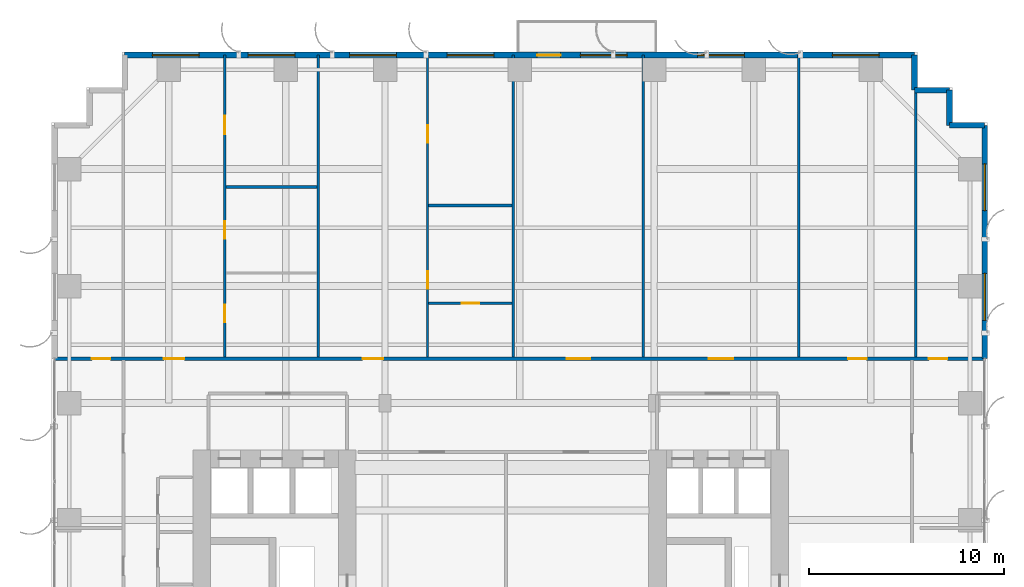
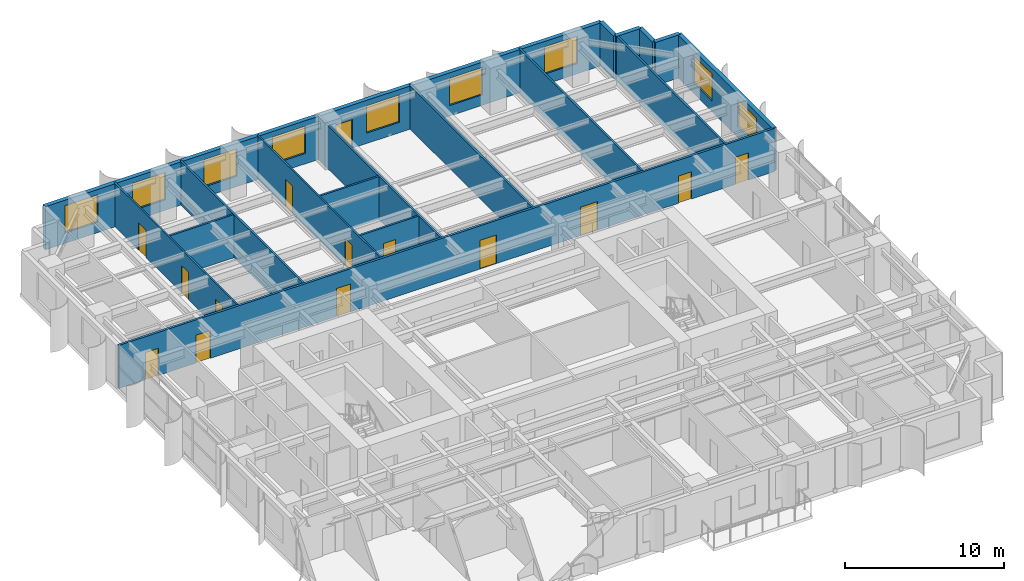
# One storey, part 12 of 17: 17 walls, 14 doors, 9 windows, 23 openings.
"""IFC4 building model written with IfcOpenShell, lengths in metres."""

from ifc_helpers import new_model, si_unit, direction, frame, frame_2d, origin, place, context, subcontext, project, spatial, rectangle, extrude, source, transform, mapped, material, layer, layer_set, type_object, element, fill, save


model = new_model("IFC4")

# Units and contexts
model_context = context("Model", 3, precision=1e-05, world=origin(), true_north=direction((0.0, 1.0)))
body_context = subcontext(model_context, "Body", "Model", "MODEL_VIEW")
ifc_project = project(units=[si_unit("LENGTHUNIT", "METRE"), si_unit("AREAUNIT", "SQUARE_METRE"), si_unit("VOLUMEUNIT", "CUBIC_METRE"), si_unit("PLANEANGLEUNIT", "RADIAN"), si_unit("MASSUNIT", "GRAM", prefix="KILO")], contexts=[model_context])

# Site, building, storey
site_placement = place(None, origin())
site = spatial("IfcSite", under=ifc_project, at=site_placement, CompositionType="ELEMENT")
building_placement = place(site_placement, origin())
building = spatial("IfcBuilding", under=site, at=building_placement, Name="Khoralis Quay Care Tower", CompositionType="ELEMENT")
storey_placement = place(building_placement, frame((0.0, 0.0, 58.5)))
storey = spatial("IfcBuildingStorey", under=building, at=storey_placement, Name="L15", CompositionType="ELEMENT", Elevation=58.5)

# Wall, openings, doors
ifc_material_1 = material(Name="Gypsum plasterboard on acoustic metal stud")
ifc_layer_1 = layer(ifc_material_1, 0.1650390625)
ifc_layer_set_1 = layer_set([ifc_layer_1], Name="Gypsum plasterboard on acoustic metal stud")
wall_type_1 = type_object("IfcWallType", Name="WL-CORR-165", PredefinedType="PARTITIONING", material=ifc_layer_set_1)
wall_1_placement = place(storey_placement, frame((0.14501953125, 32.280029296875, 0.0), z_axis=(0.0, 0.0, 1.0), x_axis=(1.0, 0.0, 0.0)))
wall_1 = element("IfcWall", 1, at=wall_1_placement, inside=storey, type_object=wall_type_1, Name="L15 North Main Corridor Wall", PredefinedType="PARTITIONING", context=body_context, shape_type="SweptSolid", body=[
    extrude(rectangle(XDim=47.7099609375, YDim=0.1650390625, at=frame_2d((23.85498046875, 0.0))), origin(), (0.0, 0.0, 1.0), 3.320068359375),
])
opening_1_placement = place(wall_1_placement, frame((5.610107421875, 0.0, 0.0)))
opening_1 = element("IfcOpeningElement", 2, at=opening_1_placement, cuts=wall_1, Name="Opening UD1", PredefinedType="OPENING", context=body_context, shape_type="SweptSolid", body=[
    extrude(rectangle(XDim=1.050048828125, YDim=2.14990234375, at=frame_2d((0.52490234375, 1.074951171875))), frame((0.0, 0.092529296875, 0.0), z_axis=(0.0, -1.0, 0.0), x_axis=(1.0, 0.0, 0.0)), (0.0, 0.0, 1.0), 0.18505859375),
])
opening_2_placement = place(wall_1_placement, frame((15.81005859375, 0.0, 0.0)))
opening_2 = element("IfcOpeningElement", 3, at=opening_2_placement, cuts=wall_1, Name="Opening UD1", PredefinedType="OPENING", context=body_context, shape_type="SweptSolid", body=[
    extrude(rectangle(XDim=1.050048828125, YDim=2.14990234375, at=frame_2d((0.52490234375, 1.074951171875))), frame((0.0, 0.092529296875, 0.0), z_axis=(0.0, -1.0, 0.0), x_axis=(1.0, 0.0, 0.0)), (0.0, 0.0, 1.0), 0.18505859375),
])
opening_3_placement = place(wall_1_placement, frame((26.264892578125, 0.0, 0.0)))
opening_3 = element("IfcOpeningElement", 4, at=opening_3_placement, cuts=wall_1, Name="Opening FD1", PredefinedType="OPENING", context=body_context, shape_type="SweptSolid", body=[
    extrude(rectangle(XDim=1.199951171875, YDim=2.199951171875, at=frame_2d((0.60009765625, 1.10009765625))), frame((0.0, 0.092529296875, 0.0), z_axis=(0.0, -1.0, 0.0), x_axis=(1.0, 0.0, 0.0)), (0.0, 0.0, 1.0), 0.18505859375),
])
opening_4_placement = place(wall_1_placement, frame((33.56005859375, 0.0, 0.0)))
opening_4 = element("IfcOpeningElement", 5, at=opening_4_placement, cuts=wall_1, Name="Opening CD1", PredefinedType="OPENING", context=body_context, shape_type="SweptSolid", body=[
    extrude(rectangle(XDim=1.25, YDim=2.199951171875, at=frame_2d((0.625, 1.10009765625))), frame((0.0, 0.092529296875, 0.0), z_axis=(0.0, -1.0, 0.0), x_axis=(1.0, 0.0, 0.0)), (0.0, 0.0, 1.0), 0.18505859375),
])
opening_5_placement = place(wall_1_placement, frame((40.699951171875, 0.0, 0.0)))
opening_5 = element("IfcOpeningElement", 6, at=opening_5_placement, cuts=wall_1, Name="Opening ID1", PredefinedType="OPENING", context=body_context, shape_type="SweptSolid", body=[
    extrude(rectangle(XDim=0.949951171875, YDim=2.10009765625, at=frame_2d((0.47509765625, 1.050048828125))), frame((0.0, 0.092529296875, 0.0), z_axis=(0.0, -1.0, 0.0), x_axis=(1.0, 0.0, 0.0)), (0.0, 0.0, 1.0), 0.18505859375),
])
opening_6_placement = place(wall_1_placement, frame((1.919921875, 0.0, 0.0)))
opening_6 = element("IfcOpeningElement", 7, at=opening_6_placement, cuts=wall_1, Name="Opening ID1", PredefinedType="OPENING", context=body_context, shape_type="SweptSolid", body=[
    extrude(rectangle(XDim=0.949951171875, YDim=2.10009765625, at=frame_2d((0.47509765625, 1.050048828125))), frame((0.0, 0.092529296875, 0.0), z_axis=(0.0, -1.0, 0.0), x_axis=(1.0, 0.0, 0.0)), (0.0, 0.0, 1.0), 0.18505859375),
])
opening_7_placement = place(wall_1_placement, frame((44.840087890625, 0.0, 0.0)))
opening_7 = element("IfcOpeningElement", 8, at=opening_7_placement, cuts=wall_1, Name="Opening ID1", PredefinedType="OPENING", context=body_context, shape_type="SweptSolid", body=[
    extrude(rectangle(XDim=0.949951171875, YDim=2.10009765625, at=frame_2d((0.47509765625, 1.050048828125))), frame((0.0, 0.092529296875, 0.0), z_axis=(0.0, -1.0, 0.0), x_axis=(1.0, 0.0, 0.0)), (0.0, 0.0, 1.0), 0.18505859375),
])
ifc_material_2 = material(Name="Fire-rated painted steel", Category="steel")
door_type_1 = type_object("IfcDoorType", Name="DR-FFL-1200X2200", OperationType="NOTDEFINED", PredefinedType="DOOR", material=ifc_material_2)
shared_shape_1 = source(origin(), body_context, "Body", "SweptSolid", [
    extrude(rectangle(XDim=1.199951171875, YDim=2.199951171875, at=frame_2d((0.60009765625, 1.10009765625))), frame((0.0, 0.02490234375, 0.0), z_axis=(0.0, -1.0, 0.0), x_axis=(1.0, 0.0, 0.0)), (0.0, 0.0, 1.0), 0.050048828125),
])
door_1_placement = place(opening_3_placement, origin())
door_1 = element("IfcDoor", 9, at=door_1_placement, inside=storey, type_object=door_type_1, Name="L15 Assisted Communal Dining Room Door", OperationType="DOUBLE_DOOR_SINGLE_SWING", OverallHeight=2.199951171875, OverallWidth=1.199951171875, PredefinedType="DOOR", context=body_context, shape_type="MappedRepresentation", body=[
    mapped(shared_shape_1, transform((0.0, 0.0, 0.0), scale=1.0)),
])
fill(opening_3, door_1)
ifc_material_3 = material(Name="Acoustic hardwood timber", Category="wood")
door_type_2 = type_object("IfcDoorType", Name="DR-CARE-1250X2200", OperationType="NOTDEFINED", PredefinedType="DOOR", material=ifc_material_3)
shared_shape_2 = source(origin(), body_context, "Body", "SweptSolid", [
    extrude(rectangle(XDim=1.25, YDim=2.199951171875, at=frame_2d((0.625, 1.10009765625))), frame((0.0, 0.02490234375, 0.0), z_axis=(0.0, -1.0, 0.0), x_axis=(1.0, 0.0, 0.0)), (0.0, 0.0, 1.0), 0.050048828125),
])
door_2_placement = place(opening_4_placement, origin())
door_2 = element("IfcDoor", 10, at=door_2_placement, inside=storey, type_object=door_type_2, Name="L15 Geriatric Consultation Clinic Door", OperationType="SINGLE_SWING_RIGHT", OverallHeight=2.199951171875, OverallWidth=1.25, PredefinedType="DOOR", context=body_context, shape_type="MappedRepresentation", body=[
    mapped(shared_shape_2, transform((0.0, 0.0, 0.0), scale=1.0)),
])
fill(opening_4, door_2)
door_type_3 = type_object("IfcDoorType", Name="DR-ROOM-950X2100", OperationType="NOTDEFINED", PredefinedType="DOOR", material=ifc_material_3)
shared_shape_3 = source(origin(), body_context, "Body", "SweptSolid", [
    extrude(rectangle(XDim=0.949951171875, YDim=2.10009765625, at=frame_2d((0.47509765625, 1.050048828125))), frame((0.0, 0.02490234375, 0.0), z_axis=(0.0, -1.0, 0.0), x_axis=(1.0, 0.0, 0.0)), (0.0, 0.0, 1.0), 0.050048828125),
])
door_3_placement = place(opening_5_placement, origin())
door_3 = element("IfcDoor", 11, at=door_3_placement, inside=storey, type_object=door_type_3, Name="L15 Care Coordination Office Door", OperationType="SINGLE_SWING_RIGHT", OverallHeight=2.10009765625, OverallWidth=0.949951171875, PredefinedType="DOOR", context=body_context, shape_type="MappedRepresentation", body=[
    mapped(shared_shape_3, transform((0.0, 0.0, 0.0), scale=1.0)),
])
fill(opening_5, door_3)
door_4_placement = place(opening_6_placement, origin())
door_4 = element("IfcDoor", 12, at=door_4_placement, inside=storey, type_object=door_type_3, Name="L15 NW Corner Door", OperationType="SINGLE_SWING_RIGHT", OverallHeight=2.10009765625, OverallWidth=0.949951171875, PredefinedType="DOOR", context=body_context, shape_type="MappedRepresentation", body=[
    mapped(shared_shape_3, transform((0.0, 0.0, 0.0), scale=1.0)),
])
fill(opening_6, door_4)
door_5_placement = place(opening_7_placement, origin())
door_5 = element("IfcDoor", 13, at=door_5_placement, inside=storey, type_object=door_type_3, Name="L15 NE Corner Door", OperationType="SINGLE_SWING_LEFT", OverallHeight=2.10009765625, OverallWidth=0.949951171875, PredefinedType="DOOR", context=body_context, shape_type="MappedRepresentation", body=[
    mapped(shared_shape_3, transform((0.0, 0.0, 0.0), scale=1.0)),
])
fill(opening_7, door_5)
door_type_4 = type_object("IfcDoorType", Name="DR-SUITE-1050X2150", OperationType="NOTDEFINED", PredefinedType="DOOR", material=ifc_material_3)
shared_shape_4 = source(origin(), body_context, "Body", "SweptSolid", [
    extrude(rectangle(XDim=1.050048828125, YDim=2.14990234375, at=frame_2d((0.52490234375, 1.074951171875))), frame((0.0, 0.02490234375, 0.0), z_axis=(0.0, -1.0, 0.0), x_axis=(1.0, 0.0, 0.0)), (0.0, 0.0, 1.0), 0.050048828125),
])
door_6_placement = place(opening_1_placement, origin())
door_6 = element("IfcDoor", 14, at=door_6_placement, inside=storey, type_object=door_type_4, Name="L15 Apartment NB0 Entrance Door", OperationType="SINGLE_SWING_LEFT", OverallHeight=2.14990234375, OverallWidth=1.050048828125, PredefinedType="DOOR", context=body_context, shape_type="MappedRepresentation", body=[
    mapped(shared_shape_4, transform((0.0, 0.0, 0.0), scale=1.0)),
])
fill(opening_1, door_6)
door_7_placement = place(opening_2_placement, origin())
door_7 = element("IfcDoor", 15, at=door_7_placement, inside=storey, type_object=door_type_4, Name="L15 Studio NB1 Entrance", OperationType="SINGLE_SWING_RIGHT", OverallHeight=2.14990234375, OverallWidth=1.050048828125, PredefinedType="DOOR", context=body_context, shape_type="MappedRepresentation", body=[
    mapped(shared_shape_4, transform((0.0, 0.0, 0.0), scale=1.0)),
])
fill(opening_2, door_7)

# Wall, openings, windows
ifc_material_4 = material(Name="Precast concrete C45/55", Category="concrete")
ifc_layer_2 = layer(ifc_material_4, 0.300048828125)
ifc_layer_set_2 = layer_set([ifc_layer_2], Name="Precast concrete C45/55")
wall_type_2 = type_object("IfcWallType", Name="WL-EXT-REF-300", PredefinedType="SOLIDWALL", material=ifc_layer_set_2)
wall_2_placement = place(storey_placement, frame((47.85009765625, 32.280029296875, 0.0), z_axis=(0.0, 0.0, 1.0), x_axis=(0.0, 1.0, 0.0)))
wall_2 = element("IfcWall", 16, at=wall_2_placement, inside=storey, type_object=wall_type_2, Name="L15 External Facade Wall WL-EXT-L15-P1-E5B", PredefinedType="SOLIDWALL", context=body_context, shape_type="SweptSolid", body=[
    extrude(rectangle(XDim=11.969970703125, YDim=0.300048828125, at=frame_2d((5.98486328125, 0.0))), origin(), (0.0, 0.0, 1.0), 3.320068359375),
])
opening_8_placement = place(wall_2_placement, frame((1.972412109375, 0.0, 0.800048828125)))
opening_8 = element("IfcOpeningElement", 17, at=opening_8_placement, cuts=wall_2, Name="Opening W1", PredefinedType="OPENING", context=body_context, shape_type="SweptSolid", body=[
    extrude(rectangle(XDim=2.39990234375, YDim=2.10009765625, at=frame_2d((1.199951171875, 1.050048828125))), frame((0.0, 0.16015625, 0.0), z_axis=(0.0, -1.0, 0.0), x_axis=(1.0, 0.0, 0.0)), (0.0, 0.0, 1.0), 0.320068359375),
])
opening_9_placement = place(wall_2_placement, frame((7.597412109375, 0.0, 0.800048828125)))
opening_9 = element("IfcOpeningElement", 18, at=opening_9_placement, cuts=wall_2, Name="Opening W1", PredefinedType="OPENING", context=body_context, shape_type="SweptSolid", body=[
    extrude(rectangle(XDim=2.39990234375, YDim=2.10009765625, at=frame_2d((1.199951171875, 1.050048828125))), frame((0.0, 0.16015625, 0.0), z_axis=(0.0, -1.0, 0.0), x_axis=(1.0, 0.0, 0.0)), (0.0, 0.0, 1.0), 0.320068359375),
])
ifc_material_5 = material(Name="Low-E solar-control double glazing", Category="glass")
window_type = type_object("IfcWindowType", Name="WN-POD-2400X2100", PartitioningType="SINGLE_PANEL", PredefinedType="WINDOW", material=ifc_material_5)
shared_shape_5 = source(origin(), body_context, "Body", "SweptSolid", [
    extrude(rectangle(XDim=2.39990234375, YDim=2.10009765625, at=frame_2d((1.199951171875, 1.050048828125))), frame((0.0, 0.030029296875, 0.0), z_axis=(0.0, -1.0, 0.0), x_axis=(1.0, 0.0, 0.0)), (0.0, 0.0, 1.0), 0.06005859375),
])
window_1_placement = place(opening_8_placement, origin())
window_1 = element("IfcWindow", 19, at=window_1_placement, inside=storey, type_object=window_type, Name="WN-L15-P1-E5B Facade Window 01", OverallHeight=2.10009765625, OverallWidth=2.39990234375, PartitioningType="SINGLE_PANEL", PredefinedType="WINDOW", context=body_context, shape_type="MappedRepresentation", body=[
    mapped(shared_shape_5, transform((0.0, 0.0, 0.0), scale=1.0)),
])
fill(opening_8, window_1)
window_2_placement = place(opening_9_placement, origin())
window_2 = element("IfcWindow", 20, at=window_2_placement, inside=storey, type_object=window_type, Name="WN-L15-P1-E5B Facade Window 02", OverallHeight=2.10009765625, OverallWidth=2.39990234375, PartitioningType="SINGLE_PANEL", PredefinedType="WINDOW", context=body_context, shape_type="MappedRepresentation", body=[
    mapped(shared_shape_5, transform((0.0, 0.0, 0.0), scale=1.0)),
])
fill(opening_9, window_2)

# Walls
for number, where, z_axis, x_axis, name in (
    (21, (47.85009765625, 44.25, 0.0), (0.0, 0.0, 1.0), (-1.0, 0.0, 0.0), "L15 External Facade Wall WL-EXT-L15-P1-C6"),
    (22, (46.050048828125, 44.25, 0.0), (0.0, 0.0, 1.0), (0.0, 1.0, 0.0), "L15 External Facade Wall WL-EXT-L15-P1-C7"),
    (23, (46.050048828125, 46.050048828125, 0.0), (0.0, 0.0, 1.0), (-1.0, 0.0, 0.0), "L15 External Facade Wall WL-EXT-L15-P1-C8"),
    (24, (44.25, 46.050048828125, 0.0), (0.0, 0.0, 1.0), (0.0, 1.0, 0.0), "L15 External Facade Wall WL-EXT-L15-P1-C9"),
):
    element("IfcWall", number, at=place(storey_placement, frame(where, z_axis=z_axis, x_axis=x_axis)), inside=storey, type_object=wall_type_2, Name=name, PredefinedType="SOLIDWALL", context=body_context, shape_type="SweptSolid", body=[
        extrude(rectangle(XDim=1.800048828125, YDim=0.300048828125, at=frame_2d((0.89990234375, 0.0))), origin(), (0.0, 0.0, 1.0), 3.320068359375),
    ])

# Wall, openings, windows, door
wall_3_placement = place(storey_placement, frame((44.25, 47.85009765625, 0.0), z_axis=(0.0, 0.0, 1.0), x_axis=(-1.0, 0.0, 0.0)))
wall_3 = element("IfcWall", 25, at=wall_3_placement, inside=storey, type_object=wall_type_2, Name="L15 External Facade Wall WL-EXT-L15-P1-E10", PredefinedType="SOLIDWALL", context=body_context, shape_type="SweptSolid", body=[
    extrude(rectangle(XDim=40.5, YDim=0.300048828125, at=frame_2d((20.25, 0.0))), origin(), (0.0, 0.0, 1.0), 3.320068359375),
])
opening_10_placement = place(wall_3_placement, frame((1.81494140625, 0.0, 0.800048828125)))
opening_10 = element("IfcOpeningElement", 26, at=opening_10_placement, cuts=wall_3, Name="Opening W1", PredefinedType="OPENING", context=body_context, shape_type="SweptSolid", body=[
    extrude(rectangle(XDim=2.39990234375, YDim=2.10009765625, at=frame_2d((1.199951171875, 1.050048828125))), frame((0.0, 0.16015625, 0.0), z_axis=(0.0, -1.0, 0.0), x_axis=(1.0, 0.0, 0.0)), (0.0, 0.0, 1.0), 0.320068359375),
])
opening_11_placement = place(wall_3_placement, frame((8.719970703125, 0.0, 0.800048828125)))
opening_11 = element("IfcOpeningElement", 27, at=opening_11_placement, cuts=wall_3, Name="Opening W1", PredefinedType="OPENING", context=body_context, shape_type="SweptSolid", body=[
    extrude(rectangle(XDim=2.39990234375, YDim=2.10009765625, at=frame_2d((1.199951171875, 1.050048828125))), frame((0.0, 0.16015625, 0.0), z_axis=(0.0, -1.0, 0.0), x_axis=(1.0, 0.0, 0.0)), (0.0, 0.0, 1.0), 0.320068359375),
])
opening_12_placement = place(wall_3_placement, frame((14.735107421875, 0.0, 0.800048828125)))
opening_12 = element("IfcOpeningElement", 28, at=opening_12_placement, cuts=wall_3, Name="Opening W1", PredefinedType="OPENING", context=body_context, shape_type="SweptSolid", body=[
    extrude(rectangle(XDim=2.39990234375, YDim=2.10009765625, at=frame_2d((1.199951171875, 1.050048828125))), frame((0.0, 0.16015625, 0.0), z_axis=(0.0, -1.0, 0.0), x_axis=(1.0, 0.0, 0.0)), (0.0, 0.0, 1.0), 0.320068359375),
])
opening_13_placement = place(wall_3_placement, frame((21.570068359375, 0.0, 0.800048828125)))
opening_13 = element("IfcOpeningElement", 29, at=opening_13_placement, cuts=wall_3, Name="Opening W1", PredefinedType="OPENING", context=body_context, shape_type="SweptSolid", body=[
    extrude(rectangle(XDim=2.39990234375, YDim=2.10009765625, at=frame_2d((1.199951171875, 1.050048828125))), frame((0.0, 0.16015625, 0.0), z_axis=(0.0, -1.0, 0.0), x_axis=(1.0, 0.0, 0.0)), (0.0, 0.0, 1.0), 0.320068359375),
])
opening_14_placement = place(wall_3_placement, frame((26.570068359375, 0.0, 0.800048828125)))
opening_14 = element("IfcOpeningElement", 30, at=opening_14_placement, cuts=wall_3, Name="Opening W1", PredefinedType="OPENING", context=body_context, shape_type="SweptSolid", body=[
    extrude(rectangle(XDim=2.39990234375, YDim=2.10009765625, at=frame_2d((1.199951171875, 1.050048828125))), frame((0.0, 0.16015625, 0.0), z_axis=(0.0, -1.0, 0.0), x_axis=(1.0, 0.0, 0.0)), (0.0, 0.0, 1.0), 0.320068359375),
])
opening_15_placement = place(wall_3_placement, frame((31.77001953125, 0.0, 0.800048828125)))
opening_15 = element("IfcOpeningElement", 31, at=opening_15_placement, cuts=wall_3, Name="Opening W1", PredefinedType="OPENING", context=body_context, shape_type="SweptSolid", body=[
    extrude(rectangle(XDim=2.39990234375, YDim=2.10009765625, at=frame_2d((1.199951171875, 1.050048828125))), frame((0.0, 0.16015625, 0.0), z_axis=(0.0, -1.0, 0.0), x_axis=(1.0, 0.0, 0.0)), (0.0, 0.0, 1.0), 0.320068359375),
])
opening_16_placement = place(wall_3_placement, frame((36.68505859375, 0.0, 0.800048828125)))
opening_16 = element("IfcOpeningElement", 32, at=opening_16_placement, cuts=wall_3, Name="Opening W1", PredefinedType="OPENING", context=body_context, shape_type="SweptSolid", body=[
    extrude(rectangle(XDim=2.39990234375, YDim=2.10009765625, at=frame_2d((1.199951171875, 1.050048828125))), frame((0.0, 0.16015625, 0.0), z_axis=(0.0, -1.0, 0.0), x_axis=(1.0, 0.0, 0.0)), (0.0, 0.0, 1.0), 0.320068359375),
])
opening_17_placement = place(wall_3_placement, frame((18.14990234375, 0.0, 0.0)))
opening_17 = element("IfcOpeningElement", 33, at=opening_17_placement, cuts=wall_3, Name="Opening BD1", PredefinedType="OPENING", context=body_context, shape_type="SweptSolid", body=[
    extrude(rectangle(XDim=1.199951171875, YDim=2.199951171875, at=frame_2d((0.60009765625, 1.10009765625))), frame((0.0, 0.16015625, 0.0), z_axis=(0.0, -1.0, 0.0), x_axis=(1.0, 0.0, 0.0)), (0.0, 0.0, 1.0), 0.320068359375),
])
window_3_placement = place(opening_10_placement, origin())
window_3 = element("IfcWindow", 34, at=window_3_placement, inside=storey, type_object=window_type, Name="WN-L15-P1-E10 Facade Window 01", OverallHeight=2.10009765625, OverallWidth=2.39990234375, PartitioningType="SINGLE_PANEL", PredefinedType="WINDOW", context=body_context, shape_type="MappedRepresentation", body=[
    mapped(shared_shape_5, transform((0.0, 0.0, 0.0), scale=1.0)),
])
fill(opening_10, window_3)
window_4_placement = place(opening_11_placement, origin())
window_4 = element("IfcWindow", 35, at=window_4_placement, inside=storey, type_object=window_type, Name="WN-L15-P1-E10 Facade Window 02", OverallHeight=2.10009765625, OverallWidth=2.39990234375, PartitioningType="SINGLE_PANEL", PredefinedType="WINDOW", context=body_context, shape_type="MappedRepresentation", body=[
    mapped(shared_shape_5, transform((0.0, 0.0, 0.0), scale=1.0)),
])
fill(opening_11, window_4)
window_5_placement = place(opening_12_placement, origin())
window_5 = element("IfcWindow", 36, at=window_5_placement, inside=storey, type_object=window_type, Name="WN-L15-P1-E10 Facade Window 03", OverallHeight=2.10009765625, OverallWidth=2.39990234375, PartitioningType="SINGLE_PANEL", PredefinedType="WINDOW", context=body_context, shape_type="MappedRepresentation", body=[
    mapped(shared_shape_5, transform((0.0, 0.0, 0.0), scale=1.0)),
])
fill(opening_12, window_5)
window_6_placement = place(opening_13_placement, origin())
window_6 = element("IfcWindow", 37, at=window_6_placement, inside=storey, type_object=window_type, Name="WN-L15-P1-E10 Facade Window 04", OverallHeight=2.10009765625, OverallWidth=2.39990234375, PartitioningType="SINGLE_PANEL", PredefinedType="WINDOW", context=body_context, shape_type="MappedRepresentation", body=[
    mapped(shared_shape_5, transform((0.0, 0.0, 0.0), scale=1.0)),
])
fill(opening_13, window_6)
window_7_placement = place(opening_14_placement, origin())
window_7 = element("IfcWindow", 38, at=window_7_placement, inside=storey, type_object=window_type, Name="WN-L15-P1-E10 Facade Window 05", OverallHeight=2.10009765625, OverallWidth=2.39990234375, PartitioningType="SINGLE_PANEL", PredefinedType="WINDOW", context=body_context, shape_type="MappedRepresentation", body=[
    mapped(shared_shape_5, transform((0.0, 0.0, 0.0), scale=1.0)),
])
fill(opening_14, window_7)
window_8_placement = place(opening_15_placement, origin())
window_8 = element("IfcWindow", 39, at=window_8_placement, inside=storey, type_object=window_type, Name="WN-L15-P1-E10 Facade Window 06", OverallHeight=2.10009765625, OverallWidth=2.39990234375, PartitioningType="SINGLE_PANEL", PredefinedType="WINDOW", context=body_context, shape_type="MappedRepresentation", body=[
    mapped(shared_shape_5, transform((0.0, 0.0, 0.0), scale=1.0)),
])
fill(opening_15, window_8)
window_9_placement = place(opening_16_placement, origin())
window_9 = element("IfcWindow", 40, at=window_9_placement, inside=storey, type_object=window_type, Name="WN-L15-P1-E10 Facade Window 07", OverallHeight=2.10009765625, OverallWidth=2.39990234375, PartitioningType="SINGLE_PANEL", PredefinedType="WINDOW", context=body_context, shape_type="MappedRepresentation", body=[
    mapped(shared_shape_5, transform((0.0, 0.0, 0.0), scale=1.0)),
])
fill(opening_16, window_9)
ifc_material_6 = material(Name="Anodised aluminium and laminated safety glass", Category="aluminium")
door_type_5 = type_object("IfcDoorType", Name="DR-EXT-BALC-1200X2200", OperationType="NOTDEFINED", PredefinedType="DOOR", material=ifc_material_6)
shared_shape_6 = source(origin(), body_context, "Body", "SweptSolid", [
    extrude(rectangle(XDim=1.199951171875, YDim=2.199951171875, at=frame_2d((0.60009765625, 1.10009765625))), frame((0.0, 0.02490234375, 0.0), z_axis=(0.0, -1.0, 0.0), x_axis=(1.0, 0.0, 0.0)), (0.0, 0.0, 1.0), 0.050048828125),
])
door_8_placement = place(opening_17_placement, frame((1.199951171875, 0.0, 0.0), z_axis=(0.0, 0.0, 1.0), x_axis=(-1.0, 0.0, 0.0)))
door_8 = element("IfcDoor", 41, at=door_8_placement, inside=storey, type_object=door_type_5, Name="L15 Senior Loggia Balcony Door", OperationType="SINGLE_SWING_RIGHT", OverallHeight=2.199951171875, OverallWidth=1.199951171875, PredefinedType="DOOR", context=body_context, shape_type="MappedRepresentation", body=[
    mapped(shared_shape_6, transform((0.0, 0.0, 0.0), scale=1.0)),
])
fill(opening_17, door_8)

# Wall, openings, doors
ifc_layer_3 = layer(ifc_material_1, 0.114990234375)
ifc_layer_set_3 = layer_set([ifc_layer_3], Name="Gypsum plasterboard on acoustic metal stud")
wall_type_3 = type_object("IfcWallType", Name="WL-PART-115", PredefinedType="PARTITIONING", material=ifc_layer_set_3)
wall_4_placement = place(storey_placement, frame((8.8798828125, 32.357421875, 0.0), z_axis=(0.0, 0.0, 1.0), x_axis=(0.0, 1.0, 0.0)))
wall_4 = element("IfcWall", 42, at=wall_4_placement, inside=storey, type_object=wall_type_3, Name="L15 Unit 0 Internal Wall", PredefinedType="PARTITIONING", context=body_context, shape_type="SweptSolid", body=[
    extrude(rectangle(XDim=15.49755859375, YDim=0.114990234375, at=frame_2d((7.748779296875, 0.0))), origin(), (0.0, 0.0, 1.0), 3.320068359375),
])
opening_18_placement = place(wall_4_placement, frame((11.43408203125, 0.0, 0.0)))
opening_18 = element("IfcOpeningElement", 43, at=opening_18_placement, cuts=wall_4, Name="Opening ID1", PredefinedType="OPENING", context=body_context, shape_type="SweptSolid", body=[
    extrude(rectangle(XDim=0.949951171875, YDim=2.10009765625, at=frame_2d((0.47509765625, 1.050048828125))), frame((0.0, 0.0673828125, 0.0), z_axis=(0.0, -1.0, 0.0), x_axis=(1.0, 0.0, 0.0)), (0.0, 0.0, 1.0), 0.135009765625),
])
opening_19_placement = place(wall_4_placement, frame((6.074462890625, 0.0, 0.0)))
opening_19 = element("IfcOpeningElement", 44, at=opening_19_placement, cuts=wall_4, Name="Opening WD1", PredefinedType="OPENING", context=body_context, shape_type="SweptSolid", body=[
    extrude(rectangle(XDim=0.89990234375, YDim=2.10009765625, at=frame_2d((0.449951171875, 1.050048828125))), frame((0.0, 0.0673828125, 0.0), z_axis=(0.0, -1.0, 0.0), x_axis=(1.0, 0.0, 0.0)), (0.0, 0.0, 1.0), 0.135009765625),
])
opening_20_placement = place(wall_4_placement, frame((1.7880859375, 0.0, 0.0)))
opening_20 = element("IfcOpeningElement", 45, at=opening_20_placement, cuts=wall_4, Name="Opening WD1", PredefinedType="OPENING", context=body_context, shape_type="SweptSolid", body=[
    extrude(rectangle(XDim=0.89990234375, YDim=2.10009765625, at=frame_2d((0.449951171875, 1.050048828125))), frame((0.0, 0.0673828125, 0.0), z_axis=(0.0, -1.0, 0.0), x_axis=(1.0, 0.0, 0.0)), (0.0, 0.0, 1.0), 0.135009765625),
])
door_type_6 = type_object("IfcDoorType", Name="DR-BATH-900X2100", OperationType="NOTDEFINED", PredefinedType="DOOR", material=ifc_material_3)
shared_shape_7 = source(origin(), body_context, "Body", "SweptSolid", [
    extrude(rectangle(XDim=0.89990234375, YDim=2.10009765625, at=frame_2d((0.449951171875, 1.050048828125))), frame((0.0, 0.02490234375, 0.0), z_axis=(0.0, -1.0, 0.0), x_axis=(1.0, 0.0, 0.0)), (0.0, 0.0, 1.0), 0.050048828125),
])
door_9_placement = place(opening_19_placement, frame((0.89990234375, 0.0, 0.0), z_axis=(0.0, 0.0, 1.0), x_axis=(-1.0, 0.0, 0.0)))
door_9 = element("IfcDoor", 46, at=door_9_placement, inside=storey, type_object=door_type_6, Name="L15 Apartment NB0 KIT Door", OperationType="SINGLE_SWING_LEFT", OverallHeight=2.10009765625, OverallWidth=0.89990234375, PredefinedType="DOOR", context=body_context, shape_type="MappedRepresentation", body=[
    mapped(shared_shape_7, transform((0.0, 0.0, 0.0), scale=1.0)),
])
fill(opening_19, door_9)
door_10_placement = place(opening_20_placement, frame((0.89990234375, 0.0, 0.0), z_axis=(0.0, 0.0, 1.0), x_axis=(-1.0, 0.0, 0.0)))
door_10 = element("IfcDoor", 47, at=door_10_placement, inside=storey, type_object=door_type_6, Name="L15 Apartment NB0 BTH Door", OperationType="SINGLE_SWING_RIGHT", OverallHeight=2.10009765625, OverallWidth=0.89990234375, PredefinedType="DOOR", context=body_context, shape_type="MappedRepresentation", body=[
    mapped(shared_shape_7, transform((0.0, 0.0, 0.0), scale=1.0)),
])
fill(opening_20, door_10)
door_11_placement = place(opening_18_placement, frame((0.949951171875, 0.0, 0.0), z_axis=(0.0, 0.0, 1.0), x_axis=(-1.0, 0.0, 0.0)))
door_11 = element("IfcDoor", 48, at=door_11_placement, inside=storey, type_object=door_type_3, Name="L15 Apartment NB0 BED Door", OperationType="SINGLE_SWING_RIGHT", OverallHeight=2.10009765625, OverallWidth=0.949951171875, PredefinedType="DOOR", context=body_context, shape_type="MappedRepresentation", body=[
    mapped(shared_shape_3, transform((0.0, 0.0, 0.0), scale=1.0)),
])
fill(opening_18, door_11)

wall_5_placement = place(storey_placement, frame((19.280029296875, 32.357421875, 0.0), z_axis=(0.0, 0.0, 1.0), x_axis=(0.0, 1.0, 0.0)))
wall_5 = element("IfcWall", 49, at=wall_5_placement, inside=storey, type_object=wall_type_3, Name="L15 Studio 1 Internal Wall", PredefinedType="PARTITIONING", context=body_context, shape_type="SweptSolid", body=[
    extrude(rectangle(XDim=15.49755859375, YDim=0.114990234375, at=frame_2d((7.748779296875, 0.0))), origin(), (0.0, 0.0, 1.0), 3.320068359375),
])
opening_21_placement = place(wall_5_placement, frame((10.987548828125, 0.0, 0.0)))
opening_21 = element("IfcOpeningElement", 50, at=opening_21_placement, cuts=wall_5, Name="Opening WD1", PredefinedType="OPENING", context=body_context, shape_type="SweptSolid", body=[
    extrude(rectangle(XDim=0.89990234375, YDim=2.10009765625, at=frame_2d((0.449951171875, 1.050048828125))), frame((0.0, 0.0673828125, 0.0), z_axis=(0.0, -1.0, 0.0), x_axis=(1.0, 0.0, 0.0)), (0.0, 0.0, 1.0), 0.135009765625),
])
opening_22_placement = place(wall_5_placement, frame((3.517578125, 0.0, 0.0)))
opening_22 = element("IfcOpeningElement", 51, at=opening_22_placement, cuts=wall_5, Name="Opening WD1", PredefinedType="OPENING", context=body_context, shape_type="SweptSolid", body=[
    extrude(rectangle(XDim=0.89990234375, YDim=2.10009765625, at=frame_2d((0.449951171875, 1.050048828125))), frame((0.0, 0.0673828125, 0.0), z_axis=(0.0, -1.0, 0.0), x_axis=(1.0, 0.0, 0.0)), (0.0, 0.0, 1.0), 0.135009765625),
])
door_12_placement = place(opening_21_placement, frame((0.89990234375, 0.0, 0.0), z_axis=(0.0, 0.0, 1.0), x_axis=(-1.0, 0.0, 0.0)))
door_12 = element("IfcDoor", 52, at=door_12_placement, inside=storey, type_object=door_type_6, Name="L15 Studio SKT Door", OperationType="SINGLE_SWING_LEFT", OverallHeight=2.10009765625, OverallWidth=0.89990234375, PredefinedType="DOOR", context=body_context, shape_type="MappedRepresentation", body=[
    mapped(shared_shape_7, transform((0.0, 0.0, 0.0), scale=1.0)),
])
fill(opening_21, door_12)
door_13_placement = place(opening_22_placement, frame((0.89990234375, 0.0, 0.0), z_axis=(0.0, 0.0, 1.0), x_axis=(-1.0, 0.0, 0.0)))
door_13 = element("IfcDoor", 53, at=door_13_placement, inside=storey, type_object=door_type_6, Name="L15 Studio SBH Door", OperationType="SINGLE_SWING_RIGHT", OverallHeight=2.10009765625, OverallWidth=0.89990234375, PredefinedType="DOOR", context=body_context, shape_type="MappedRepresentation", body=[
    mapped(shared_shape_7, transform((0.0, 0.0, 0.0), scale=1.0)),
])
fill(opening_22, door_13)

# Walls
ifc_material_7 = material(Name="Moisture-resistant gypsum and ceramic tile")
ifc_layer_4 = layer(ifc_material_7, 0.280029296875)
ifc_layer_set_4 = layer_set([ifc_layer_4], Name="Moisture-resistant gypsum and ceramic tile")
wall_type_4 = type_object("IfcWallType", Name="WL-PLUMB-280", PredefinedType="PLUMBINGWALL", material=ifc_layer_set_4)
wall_6_placement = place(storey_placement, frame((8.9326171875, 41.0830078125, 0.0), z_axis=(0.0, 0.0, 1.0), x_axis=(1.0, 0.0, 0.0)))
element("IfcWall", 54, at=wall_6_placement, inside=storey, type_object=wall_type_4, Name="L15 Unit 0 Wet Wall", PredefinedType="PLUMBINGWALL", context=body_context, shape_type="SweptSolid", body=[
    extrude(rectangle(XDim=4.682373046875, YDim=0.139892578125, at=frame_2d((2.34130859375, 0.0))), origin(), (0.0, 0.0, 1.0), 3.320068359375),
])
wall_7_placement = place(storey_placement, frame((19.33251953125, 40.139892578125, 0.0), z_axis=(0.0, 0.0, 1.0), x_axis=(1.0, 0.0, 0.0)))
element("IfcWall", 55, at=wall_7_placement, inside=storey, type_object=wall_type_4, Name="L15 Studio 1 Wet Split", PredefinedType="PLUMBINGWALL", context=body_context, shape_type="SweptSolid", body=[
    extrude(rectangle(XDim=4.282470703125, YDim=0.139892578125, at=frame_2d((2.14111328125, 0.0))), origin(), (0.0, 0.0, 1.0), 3.320068359375),
])
ifc_layer_5 = layer(ifc_material_1, 0.139892578125)
ifc_layer_set_5 = layer_set([ifc_layer_5], Name="Gypsum plasterboard on acoustic metal stud")
wall_type_5 = type_object("IfcWallType", Name="WL-UNIT-140", PredefinedType="PARTITIONING", material=ifc_layer_set_5)
for number, where, z_axis, x_axis, name in (
    (56, (13.679931640625, 32.357421875, 0.0), (0.0, 0.0, 1.0), (0.0, 1.0, 0.0), "L15 NB Demising Wall 1"),
    (57, (23.679931640625, 32.357421875, 0.0), (0.0, 0.0, 1.0), (0.0, 1.0, 0.0), "L15 NB Demising Wall 2"),
    (58, (30.340087890625, 32.357421875, 0.0), (0.0, 0.0, 1.0), (0.0, 1.0, 0.0), "L15 NB Demising Wall 3"),
    (59, (38.320068359375, 32.357421875, 0.0), (0.0, 0.0, 1.0), (0.0, 1.0, 0.0), "L15 NB Demising Wall 4"),
):
    element("IfcWall", number, at=place(storey_placement, frame(where, z_axis=z_axis, x_axis=x_axis)), inside=storey, type_object=wall_type_5, Name=name, PredefinedType="PARTITIONING", context=body_context, shape_type="SweptSolid", body=[
        extrude(rectangle(XDim=15.49755859375, YDim=0.139892578125, at=frame_2d((7.748779296875, 0.0))), origin(), (0.0, 0.0, 1.0), 3.320068359375),
    ])
wall_8_placement = place(storey_placement, frame((44.320068359375, 32.357421875, 0.0), z_axis=(0.0, 0.0, 1.0), x_axis=(0.0, 1.0, 0.0)))
element("IfcWall", 60, at=wall_8_placement, inside=storey, type_object=wall_type_5, Name="L15 NB Demising Wall 5", PredefinedType="PARTITIONING", context=body_context, shape_type="SweptSolid", body=[
    extrude(rectangle(XDim=13.697509765625, YDim=0.139892578125, at=frame_2d((6.8486328125, 0.0))), origin(), (0.0, 0.0, 1.0), 3.320068359375),
])

# Wall, opening, door
wall_9_placement = place(storey_placement, frame((19.33251953125, 35.1298828125, 0.0), z_axis=(0.0, 0.0, 1.0), x_axis=(1.0, 0.0, 0.0)))
wall_9 = element("IfcWall", 61, at=wall_9_placement, inside=storey, type_object=wall_type_5, Name="Studio Bathroom L15-NB1 Sub-Partition", PredefinedType="PARTITIONING", context=body_context, shape_type="SweptSolid", body=[
    extrude(rectangle(XDim=4.282470703125, YDim=0.139892578125, at=frame_2d((2.14111328125, 0.0))), origin(), (0.0, 0.0, 1.0), 3.320068359375),
])
opening_23_placement = place(wall_9_placement, frame((1.697509765625, 0.0, 0.0)))
opening_23 = element("IfcOpeningElement", 62, at=opening_23_placement, cuts=wall_9, Name="Opening WD1", PredefinedType="OPENING", context=body_context, shape_type="SweptSolid", body=[
    extrude(rectangle(XDim=0.89990234375, YDim=2.10009765625, at=frame_2d((0.449951171875, 1.050048828125))), frame((0.0, 0.080078125, 0.0), z_axis=(0.0, -1.0, 0.0), x_axis=(1.0, 0.0, 0.0)), (0.0, 0.0, 1.0), 0.159912109375),
])
door_14_placement = place(opening_23_placement, origin())
door_14 = element("IfcDoor", 63, at=door_14_placement, inside=storey, type_object=door_type_6, Name="Linen & Utility Closet SBH1 Door", OperationType="SINGLE_SWING_LEFT", OverallHeight=2.10009765625, OverallWidth=0.89990234375, PredefinedType="DOOR", context=body_context, shape_type="MappedRepresentation", body=[
    mapped(shared_shape_7, transform((0.0, 0.0, 0.0), scale=1.0)),
])
fill(opening_23, door_14)

save(model, "model.ifc")
